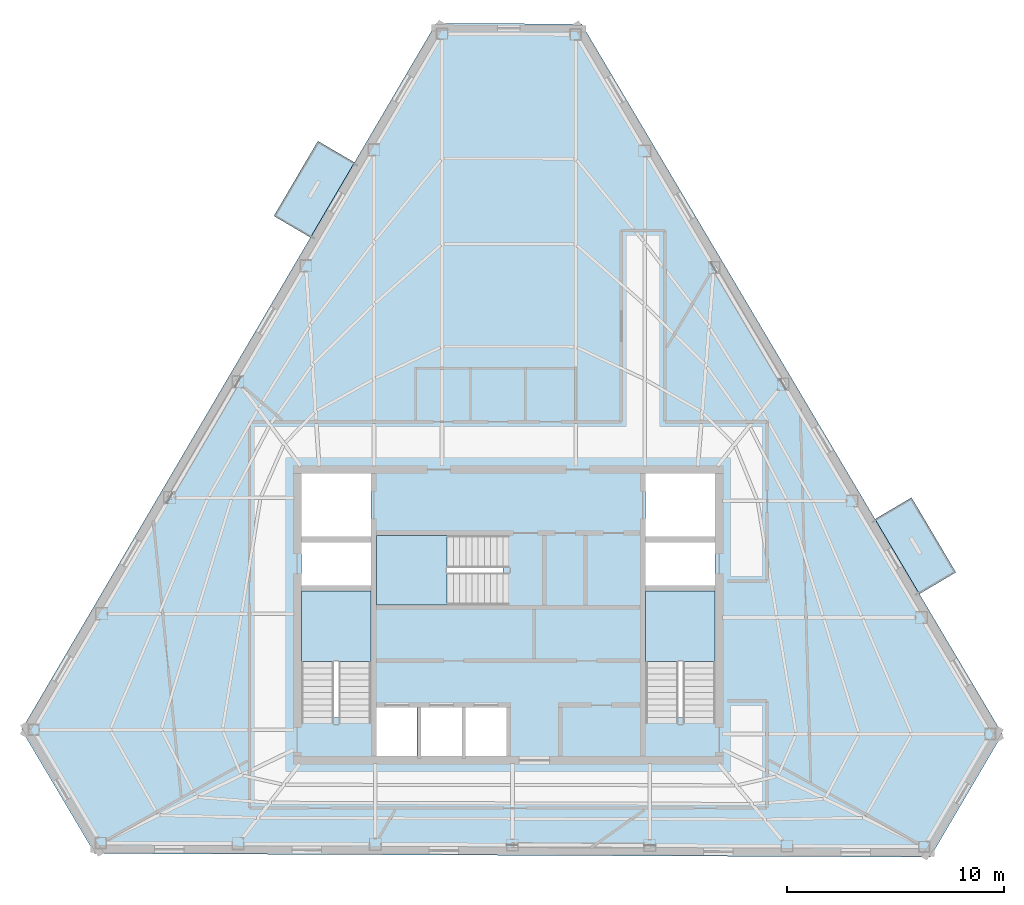
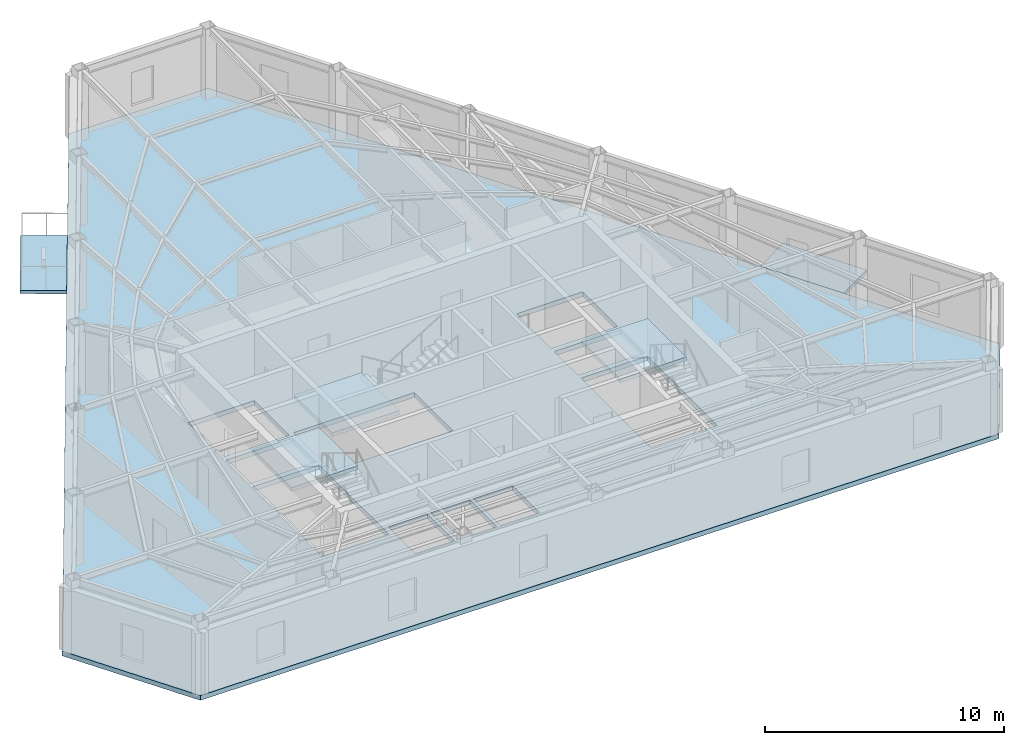
# One storey, part 3 of 9: 6 slabs, 3 elements without a shape of their own.
"""IFC4 building model written with IfcOpenShell, lengths in metres."""

from ifc_helpers import new_model, si_unit, direction, frame, origin, place, context, subcontext, project, spatial, polyline, outline, extrude, material, layer, layer_set, type_object, element, aggregate, save


model = new_model("IFC4")

# Units and contexts
model_context = context("Model", 3, precision=1e-05, world=origin(), true_north=direction((0.0, 1.0)))
body_context = subcontext(model_context, "Body", "Model", "MODEL_VIEW")
ifc_project = project(units=[si_unit("LENGTHUNIT", "METRE"), si_unit("AREAUNIT", "SQUARE_METRE"), si_unit("VOLUMEUNIT", "CUBIC_METRE"), si_unit("PLANEANGLEUNIT", "RADIAN"), si_unit("MASSUNIT", "GRAM", prefix="KILO")], contexts=[model_context])

# Site, building, storey
site_placement = place(None, origin())
site = spatial("IfcSite", under=ifc_project, at=site_placement, CompositionType="ELEMENT")
building_placement = place(site_placement, origin())
building = spatial("IfcBuilding", under=site, at=building_placement, Name="Kavelnor Concourse Tower", CompositionType="ELEMENT")
storey_placement = place(building_placement, frame((0.0, 0.0, 270.300048828125)))
storey = spatial("IfcBuildingStorey", under=building, at=storey_placement, Name="L68", CompositionType="ELEMENT", Elevation=270.300048828125)

# Slabs
ifc_material = material(Name="Concrete C40/50", Category="concrete")
ifc_layer_1 = layer(ifc_material, 0.169921875, Name="Concrete C40/50")
ifc_layer_set_1 = layer_set([ifc_layer_1], Name="Concrete C40/50")
slab_type_1 = type_object("IfcSlabType", Name="SLB-BALCONY-170", PredefinedType="FLOOR", material=ifc_layer_set_1)
slab_1_placement = place(storey_placement, frame((0.0, 0.0, -0.170166015625)))
element("IfcSlab", 1, at=slab_1_placement, inside=storey, type_object=slab_type_1, Name="L68 Cantilevered Tree Balcony Slab 1", PredefinedType="FLOOR", context=body_context, shape_type="SweptSolid", body=[
    extrude(outline(polyline([(56.551513671875, 21.5), (58.591064453125, 18.058837890625), (56.91357421875, 17.064697265625), (54.8740234375, 20.505615234375), (56.551513671875, 21.5)])), origin(), (0.0, 0.0, 1.0), 0.170166015625),
])
slab_2_placement = place(storey_placement, frame((0.0, 0.0, -0.170166015625)))
element("IfcSlab", 2, at=slab_2_placement, inside=storey, type_object=slab_type_1, Name="L68 Cantilevered Tree Balcony Slab 2", PredefinedType="FLOOR", context=body_context, shape_type="SweptSolid", body=[
    extrude(outline(polyline([(27.2158203125, 34.4521484375), (29.239990234375, 37.902099609375), (30.922119140625, 36.915283203125), (28.897705078125, 33.46533203125), (27.2158203125, 34.4521484375)])), origin(), (0.0, 0.0, 1.0), 0.170166015625),
])

# Stair, slab
stair_type = type_object("IfcStairType", Name="STR-CORE-1500", PredefinedType="HALF_TURN_STAIR", material=ifc_material)
stair_1_placement = place(storey_placement, origin())
stair_1 = element("IfcStair", 3, at=stair_1_placement, inside=storey, type_object=stair_type, Name="L68 ST1", PredefinedType="HALF_TURN_STAIR")
ifc_layer_2 = layer(ifc_material, 0.199951171875, Name="Concrete C40/50")
ifc_layer_set_2 = layer_set([ifc_layer_2], Name="Concrete C40/50")
slab_type_2 = type_object("IfcSlabType", Name="SLB-LANDING-200", PredefinedType="LANDING", material=ifc_layer_set_2)
slab_3_placement = place(storey_placement, frame((0.0, 0.0, 1.724853515625)))
slab_3 = element("IfcSlab", 4, at=slab_3_placement, type_object=slab_type_2, Name="ST1 landing 1", PredefinedType="LANDING", context=body_context, shape_type="SweptSolid", body=[
    extrude(outline(polyline([(31.679931640625, 13.949951171875), (31.679931640625, 17.199951171875), (28.47998046875, 17.199951171875), (28.47998046875, 13.949951171875), (31.679931640625, 13.949951171875)])), origin(), (0.0, 0.0, 1.0), 0.2001953125),
])
aggregate(stair_1, [slab_3])

stair_2_placement = place(storey_placement, origin())
stair_2 = element("IfcStair", 5, at=stair_2_placement, inside=storey, type_object=stair_type, Name="L68 ST2", PredefinedType="HALF_TURN_STAIR")
slab_4_placement = place(storey_placement, frame((0.0, 0.0, 1.724853515625)))
slab_4 = element("IfcSlab", 6, at=slab_4_placement, type_object=slab_type_2, Name="ST2 landing 1", PredefinedType="LANDING", context=body_context, shape_type="SweptSolid", body=[
    extrude(outline(polyline([(47.52001953125, 13.949951171875), (47.52001953125, 17.199951171875), (44.320068359375, 17.199951171875), (44.320068359375, 13.949951171875), (47.52001953125, 13.949951171875)])), origin(), (0.0, 0.0, 1.0), 0.2001953125),
])
aggregate(stair_2, [slab_4])

stair_3_placement = place(storey_placement, origin())
stair_3 = element("IfcStair", 7, at=stair_3_placement, inside=storey, type_object=stair_type, Name="L68 ST3", PredefinedType="HALF_TURN_STAIR")
slab_5_placement = place(storey_placement, frame((0.0, 0.0, 1.724853515625)))
slab_5 = element("IfcSlab", 8, at=slab_5_placement, type_object=slab_type_2, Name="ST3 landing 1", PredefinedType="LANDING", context=body_context, shape_type="SweptSolid", body=[
    extrude(outline(polyline([(35.18994140625, 19.760009765625), (31.93994140625, 19.760009765625), (31.93994140625, 16.56005859375), (35.18994140625, 16.56005859375), (35.18994140625, 19.760009765625)])), origin(), (0.0, 0.0, 1.0), 0.2001953125),
])
aggregate(stair_3, [slab_5])

# Slab
ifc_layer_3 = layer(ifc_material, 0.239990234375, Name="Concrete C40/50")
ifc_layer_set_3 = layer_set([ifc_layer_3], Name="Concrete C40/50")
slab_type_3 = type_object("IfcSlabType", Name="SLB-OFFICE-240", PredefinedType="FLOOR", material=ifc_layer_set_3)
slab_6_placement = place(storey_placement, frame((0.0, 0.0, -0.239990234375)))
element("IfcSlab", 9, at=slab_6_placement, inside=storey, type_object=slab_type_3, Name="L68 Composite Structural Floor Slab", PredefinedType="FLOOR", context=body_context, shape_type="SweptSolid", body=[
    extrude(outline(polyline([(41.372802734375, 43.28662109375), (34.677734375, 43.315673828125), (15.60595703125, 10.814453125), (18.978759765625, 5.12353515625), (57.411865234375, 4.956298828125), (60.734130859375, 10.6181640625), (41.372802734375, 43.28662109375)]), holes=[polyline([(28.47998046875, 11.3798828125), (31.679931640625, 11.3798828125), (31.679931640625, 17.199951171875), (28.47998046875, 17.199951171875), (28.47998046875, 11.3798828125)]), polyline([(44.320068359375, 11.3798828125), (47.52001953125, 11.3798828125), (47.52001953125, 17.199951171875), (44.320068359375, 17.199951171875), (44.320068359375, 11.3798828125)]), polyline([(31.93994140625, 16.56005859375), (37.760009765625, 16.56005859375), (37.760009765625, 19.760009765625), (31.93994140625, 19.760009765625), (31.93994140625, 16.56005859375)]), polyline([(28.47998046875, 19.699951171875), (31.679931640625, 19.699951171875), (31.679931640625, 22.60009765625), (28.47998046875, 22.60009765625), (28.47998046875, 19.699951171875)]), polyline([(44.320068359375, 19.699951171875), (47.52001953125, 19.699951171875), (47.52001953125, 22.60009765625), (44.320068359375, 22.60009765625), (44.320068359375, 19.699951171875)]), polyline([(31.93994140625, 9.60009765625), (33.81005859375, 9.60009765625), (33.81005859375, 11.840087890625), (31.93994140625, 11.840087890625), (31.93994140625, 9.60009765625)]), polyline([(33.989990234375, 9.60009765625), (35.860107421875, 9.60009765625), (35.860107421875, 11.840087890625), (33.989990234375, 11.840087890625), (33.989990234375, 9.60009765625)]), polyline([(36.0400390625, 9.60009765625), (37.909912109375, 9.60009765625), (37.909912109375, 11.840087890625), (36.0400390625, 11.840087890625), (36.0400390625, 9.60009765625)]), polyline([(28.47998046875, 17.4599609375), (31.679931640625, 17.4599609375), (31.679931640625, 19.43994140625), (28.47998046875, 19.43994140625), (28.47998046875, 17.4599609375)]), polyline([(44.320068359375, 17.4599609375), (47.52001953125, 17.4599609375), (47.52001953125, 19.43994140625), (44.320068359375, 19.43994140625), (44.320068359375, 17.4599609375)])]), origin(), (0.0, 0.0, 1.0), 0.239990234375),
])

save(model, "model.ifc")
